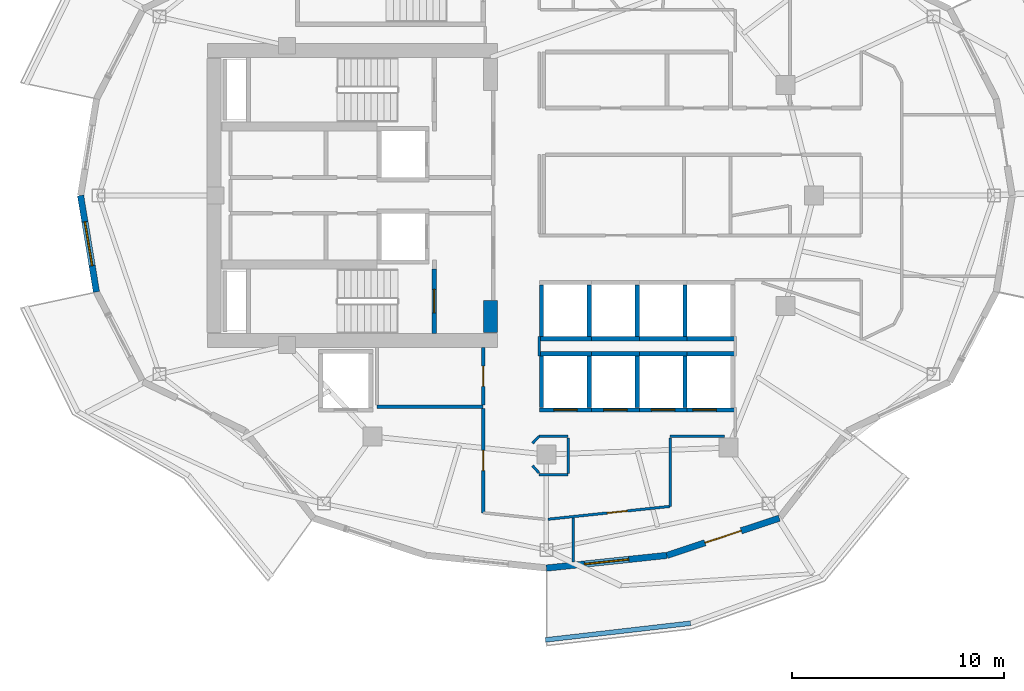
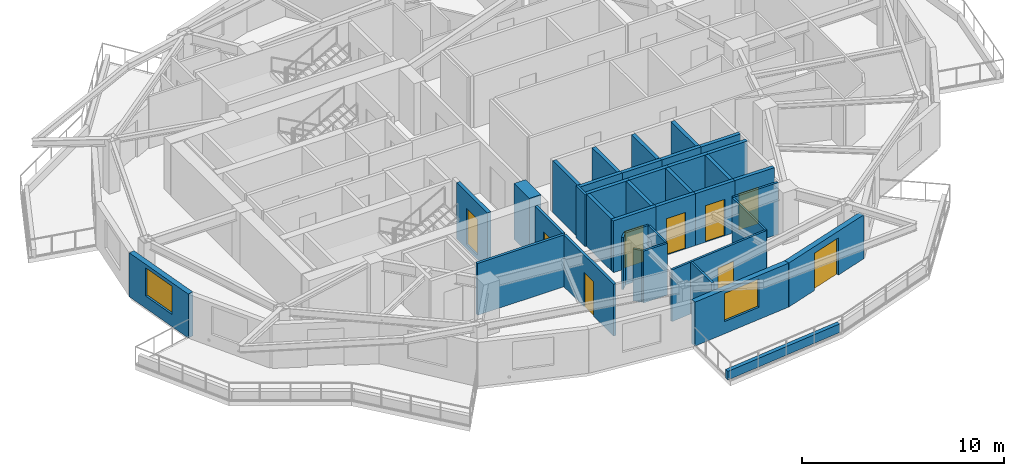
# One storey, part 3 of 12: 39 walls, 9 doors, 2 windows, 11 openings.
"""IFC4 building model written with IfcOpenShell, lengths in metres."""

from ifc_helpers import new_model, si_unit, direction, frame, frame_2d, origin, place, context, subcontext, project, spatial, rectangle, extrude, material, layer, layer_set, type_object, element, fill, save


model = new_model("IFC4")

# Units and contexts
model_context = context("Model", 3, precision=1e-05, world=origin(), true_north=direction((0.0, 1.0)))
body_context = subcontext(model_context, "Body", "Model", "MODEL_VIEW")
ifc_project = project(units=[si_unit("LENGTHUNIT", "METRE"), si_unit("AREAUNIT", "SQUARE_METRE"), si_unit("VOLUMEUNIT", "CUBIC_METRE"), si_unit("PLANEANGLEUNIT", "RADIAN"), si_unit("MASSUNIT", "GRAM", prefix="KILO")], contexts=[model_context])

# Site, building, storey
site_placement = place(None, origin())
site = spatial("IfcSite", under=ifc_project, at=site_placement, CompositionType="ELEMENT")
building_placement = place(site_placement, origin())
building = spatial("IfcBuilding", under=site, at=building_placement, Name="Kolvaren Gate Tower and Convention Centre", CompositionType="ELEMENT")
storey_placement = place(building_placement, frame((0.0, 0.0, 180.10009765625)))
storey = spatial("IfcBuildingStorey", under=building, at=storey_placement, Name="L47", CompositionType="ELEMENT", Elevation=180.10009765625)

# Walls
ifc_material_1 = material(Name="Fire-Rated Acoustic Gypsum Stud Partition", Category="gypsum")
ifc_layer_1 = layer(ifc_material_1, 0.1201171875)
ifc_layer_set_1 = layer_set([ifc_layer_1], Name="Fire-Rated Acoustic Gypsum Stud Partition")
wall_type_1 = type_object("IfcWallType", Name="ARCH-WL-PART-120", PredefinedType="PARTITIONING", material=ifc_layer_set_1)
wall_1_placement = place(storey_placement, frame((29.780029296875, 15.64990234375, 0.0), z_axis=(0.0, 0.0, 1.0), x_axis=(1.0, 0.0, 0.0)))
element("IfcWall", 1, at=wall_1_placement, inside=storey, type_object=wall_type_1, Name="Interior Partition WL-L47-INT-024", PredefinedType="PARTITIONING", context=body_context, shape_type="SweptSolid", body=[
    extrude(rectangle(XDim=1.369873046875, YDim=0.1201171875, at=frame_2d((0.68505859375, 0.0))), origin(), (0.0, 0.0, 1.0), 3.1298828125),
])
wall_2_placement = place(storey_placement, frame((35.949951171875, 15.64990234375, 0.0), z_axis=(0.0, 0.0, 1.0), x_axis=(1.0, 0.0, 0.0)))
element("IfcWall", 2, at=wall_2_placement, inside=storey, type_object=wall_type_1, Name="Interior Partition WL-L47-INT-025", PredefinedType="PARTITIONING", context=body_context, shape_type="SweptSolid", body=[
    extrude(rectangle(XDim=2.568115234375, YDim=0.1201171875, at=frame_2d((1.2841796875, 0.0))), origin(), (0.0, 0.0, 1.0), 3.1298828125),
])
wall_3_placement = place(storey_placement, frame((35.949951171875, 12.35595703125, 0.0), z_axis=(0.0, 0.0, 1.0), x_axis=(0.0, 1.0, 0.0)))
element("IfcWall", 3, at=wall_3_placement, inside=storey, type_object=wall_type_1, Name="Interior Partition WL-L47-INT-026", PredefinedType="PARTITIONING", context=body_context, shape_type="SweptSolid", body=[
    extrude(rectangle(XDim=3.23193359375, YDim=0.1201171875, at=frame_2d((1.615966796875, 0.0))), origin(), (0.0, 0.0, 1.0), 3.1298828125),
])

# Wall, opening, door
wall_4_placement = place(storey_placement, frame((30.195068359375, 11.75, 0.0), z_axis=(0.0, 0.0, 1.0), x_axis=(0.994502215954, 0.104715531139, 0.0)))
wall_4 = element("IfcWall", 4, at=wall_4_placement, inside=storey, type_object=wall_type_1, Name="Interior Partition WL-L47-INT-027", PredefinedType="PARTITIONING", context=body_context, shape_type="SweptSolid", body=[
    extrude(rectangle(XDim=5.78662109375, YDim=0.1201171875, at=frame_2d((2.893310546875, 0.0))), origin(), (0.0, 0.0, 1.0), 3.1298828125),
])
opening_1_placement = place(wall_4_placement, frame((2.818603515625, 0.0, 0.0)))
opening_1 = element("IfcOpeningElement", 5, at=opening_1_placement, cuts=wall_4, Name="Opening DR-01", PredefinedType="OPENING", context=body_context, shape_type="SweptSolid", body=[
    extrude(rectangle(XDim=0.949951171875, YDim=2.10009765625, at=frame_2d((0.47509765625, 1.050048828125))), frame((0.0, 0.070068359375, 0.0), z_axis=(0.0, -1.0, 0.0), x_axis=(1.0, 0.0, 0.0)), (0.0, 0.0, 1.0), 0.14013671875),
])
ifc_material_2 = material(Name="Painted Architectural Steelwork ASTM A500 Grade C 345 MPa", Category="steel")
door_type_1 = type_object("IfcDoorType", Name="ARCH-DR-RISER-950", OperationType="SINGLE_SWING_RIGHT", PredefinedType="DOOR", material=ifc_material_2)
door_1_placement = place(opening_1_placement, origin())
door_1 = element("IfcDoor", 6, at=door_1_placement, inside=storey, type_object=door_type_1, Name="Sky Gastronomy Restaurant Door", OperationType="SINGLE_SWING_RIGHT", OverallHeight=2.10009765625, OverallWidth=0.949951171875, PredefinedType="DOOR", context=body_context, shape_type="SweptSolid", body=[
    extrude(rectangle(XDim=0.949951171875, YDim=2.10009765625, at=frame_2d((0.47509765625, 1.050048828125))), frame((0.0, 0.02490234375, 0.0), z_axis=(0.0, -1.0, 0.0), x_axis=(1.0, 0.0, 0.0)), (0.0, 0.0, 1.0), 0.050048828125),
])
fill(opening_1, door_1)

# Walls
wall_5_placement = place(storey_placement, frame((29.780029296875, 19.43994140625, 0.0), z_axis=(0.0, 0.0, 1.0), x_axis=(0.0, 1.0, 0.0)))
element("IfcWall", 7, at=wall_5_placement, inside=storey, type_object=wall_type_1, Name="Interior Partition WL-L47-INT-031", PredefinedType="PARTITIONING", context=body_context, shape_type="SweptSolid", body=[
    extrude(rectangle(XDim=0.920166015625, YDim=0.1201171875, at=frame_2d((0.4599609375, 0.0))), origin(), (0.0, 0.0, 1.0), 3.1298828125),
])
wall_6_placement = place(storey_placement, frame((29.47607421875, 15.3330078125, 0.0), z_axis=(0.0, 0.0, 1.0), x_axis=(0.692219273951, 0.721687243043, 0.0)))
element("IfcWall", 8, at=wall_6_placement, inside=storey, type_object=wall_type_1, Name="Interior Partition WL-L47-INT-045", PredefinedType="PARTITIONING", context=body_context, shape_type="SweptSolid", body=[
    extrude(rectangle(XDim=0.439208984375, YDim=0.1201171875, at=frame_2d((0.2197265625, 0.0))), origin(), (0.0, 0.0, 1.0), 3.1298828125),
])
wall_7_placement = place(storey_placement, frame((29.47607421875, 14.26708984375, 0.0), z_axis=(0.0, 0.0, 1.0), x_axis=(0.670659392016, -0.741765448037, 0.0)))
element("IfcWall", 9, at=wall_7_placement, inside=storey, type_object=wall_type_1, Name="Interior Partition WL-L47-INT-046", PredefinedType="PARTITIONING", context=body_context, shape_type="SweptSolid", body=[
    extrude(rectangle(XDim=0.453125, YDim=0.1201171875, at=frame_2d((0.2265625, 0.0))), origin(), (0.0, 0.0, 1.0), 3.1298828125),
])
wall_8_placement = place(storey_placement, frame((29.780029296875, 13.85009765625, 0.0), z_axis=(0.0, 0.0, 1.0), x_axis=(1.0, 0.0, 0.0)))
element("IfcWall", 10, at=wall_8_placement, inside=storey, type_object=wall_type_1, Name="Interior Partition WL-L47-INT-047", PredefinedType="PARTITIONING", context=body_context, shape_type="SweptSolid", body=[
    extrude(rectangle(XDim=1.369873046875, YDim=0.1201171875, at=frame_2d((0.68505859375, 0.0))), origin(), (0.0, 0.0, 1.0), 3.1298828125),
])
wall_9_placement = place(storey_placement, frame((31.14990234375, 13.912109375, 0.0), z_axis=(0.0, 0.0, 1.0), x_axis=(0.0, 1.0, 0.0)))
element("IfcWall", 11, at=wall_9_placement, inside=storey, type_object=wall_type_1, Name="Interior Partition WL-L47-INT-048", PredefinedType="PARTITIONING", context=body_context, shape_type="SweptSolid", body=[
    extrude(rectangle(XDim=1.67578125, YDim=0.1201171875, at=frame_2d((0.837890625, 0.0))), origin(), (0.0, 0.0, 1.0), 3.1298828125),
])
wall_10_placement = place(storey_placement, frame((31.39990234375, 9.737060546875, 0.0), z_axis=(0.0, 0.0, 1.0), x_axis=(0.0, 1.0, 0.0)))
element("IfcWall", 12, at=wall_10_placement, inside=storey, type_object=wall_type_1, Name="Interior Partition WL-L47-INT-051", PredefinedType="PARTITIONING", context=body_context, shape_type="SweptSolid", body=[
    extrude(rectangle(XDim=2.077392578125, YDim=0.1201171875, at=frame_2d((1.03857421875, 0.0))), origin(), (0.0, 0.0, 1.0), 3.1298828125),
])
ifc_material_3 = material(Name="Piedmont Cream Honed Limestone Cladding", Category="masonry")
ifc_layer_2 = layer(ifc_material_3, 0.219970703125)
ifc_layer_set_2 = layer_set([ifc_layer_2], Name="Piedmont Cream Honed Limestone Cladding")
wall_type_2 = type_object("IfcWallType", Name="ARCH-WL-PLANTER-220", PredefinedType="PARAPET", material=ifc_layer_set_2)
wall_11_placement = place(storey_placement, frame((30.07958984375, 6.06640625, 0.0), z_axis=(0.0, 0.0, 1.0), x_axis=(0.993440576506, 0.114349555972, 0.0)))
element("IfcWall", 13, at=wall_11_placement, inside=storey, type_object=wall_type_2, Name="Vertical-Forest Balcony Stone Planter Kerb PK-L47-3.1", PredefinedType="PARAPET", context=body_context, shape_type="SweptSolid", body=[
    extrude(rectangle(XDim=6.885498046875, YDim=0.219970703125, at=frame_2d((3.44287109375, 0.0))), origin(), (0.0, 0.0, 1.0), 0.52001953125),
])
ifc_material_4 = material(Name="Autoclaved Aerated Masonry Blockwork Class 4 (4.0 MPa)", Category="masonry")
ifc_layer_3 = layer(ifc_material_4, 0.199951171875)
ifc_layer_set_3 = layer_set([ifc_layer_3], Name="Autoclaved Aerated Masonry Blockwork Class 4 (4.0 MPa)")
wall_type_3 = type_object("IfcWallType", Name="ARCH-WL-SHAFT-200", PredefinedType="SOLIDWALL", material=ifc_layer_set_3)
wall_12_placement = place(storey_placement, frame((29.800048828125, 19.550048828125, 0.0), z_axis=(0.0, 0.0, 1.0), x_axis=(1.0, 0.0, 0.0)))
element("IfcWall", 14, at=wall_12_placement, inside=storey, type_object=wall_type_3, Name="Elevator PL-05 L47 Fire Shaft Wall N", PredefinedType="SOLIDWALL", context=body_context, shape_type="SweptSolid", body=[
    extrude(rectangle(XDim=2.449951171875, YDim=0.199951171875, at=frame_2d((1.22509765625, 0.0))), origin(), (0.0, 0.0, 1.0), 3.1298828125),
])

# Wall, opening, door
wall_13_placement = place(storey_placement, frame((29.800048828125, 16.89990234375, 0.0), z_axis=(0.0, 0.0, 1.0), x_axis=(1.0, 0.0, 0.0)))
wall_13 = element("IfcWall", 15, at=wall_13_placement, inside=storey, type_object=wall_type_3, Name="Elevator PL-05 L47 Fire Shaft Wall S", PredefinedType="SOLIDWALL", context=body_context, shape_type="SweptSolid", body=[
    extrude(rectangle(XDim=2.449951171875, YDim=0.199951171875, at=frame_2d((1.22509765625, 0.0))), origin(), (0.0, 0.0, 1.0), 3.1298828125),
])
opening_2_placement = place(wall_13_placement, frame((0.675048828125, 0.0, 0.0)))
opening_2 = element("IfcOpeningElement", 16, at=opening_2_placement, cuts=wall_13, Name="Opening LD", PredefinedType="OPENING", context=body_context, shape_type="SweptSolid", body=[
    extrude(rectangle(XDim=1.10009765625, YDim=2.199951171875, at=frame_2d((0.550048828125, 1.10009765625))), frame((0.0, 0.10986328125, 0.0), z_axis=(0.0, -1.0, 0.0), x_axis=(1.0, 0.0, 0.0)), (0.0, 0.0, 1.0), 0.219970703125),
])
ifc_material_5 = material(Name="Brushed Stainless Steel Grade 316L", Category="steel")
door_type_2 = type_object("IfcDoorType", Name="ARCH-DR-LIFT-1100", OperationType="SLIDING_TO_LEFT", PredefinedType="DOOR", material=ifc_material_5)
door_2_placement = place(opening_2_placement, origin())
door_2 = element("IfcDoor", 17, at=door_2_placement, inside=storey, type_object=door_type_2, Name="Elevator PL-05 L47 Sliding Landing Door", OperationType="SLIDING_TO_LEFT", OverallHeight=2.199951171875, OverallWidth=1.10009765625, PredefinedType="DOOR", context=body_context, shape_type="SweptSolid", body=[
    extrude(rectangle(XDim=1.10009765625, YDim=2.199951171875, at=frame_2d((0.550048828125, 1.10009765625))), frame((0.0, 0.02490234375, 0.0), z_axis=(0.0, -1.0, 0.0), x_axis=(1.0, 0.0, 0.0)), (0.0, 0.0, 1.0), 0.050048828125),
])
fill(opening_2, door_2)

# Walls
for number, where, z_axis, x_axis, name in (
    (18, (29.89990234375, 17.010009765625, 0.0), (0.0, 0.0, 1.0), (0.0, 1.0, 0.0), "Elevator PL-05 L47 Fire Shaft Wall W"),
    (19, (32.14990234375, 17.010009765625, 0.0), (0.0, 0.0, 1.0), (0.0, 1.0, 0.0), "Elevator PL-05 L47 Fire Shaft Wall E"),
):
    element("IfcWall", number, at=place(storey_placement, frame(where, z_axis=z_axis, x_axis=x_axis)), inside=storey, type_object=wall_type_3, Name=name, PredefinedType="SOLIDWALL", context=body_context, shape_type="SweptSolid", body=[
        extrude(rectangle(XDim=2.429931640625, YDim=0.199951171875, at=frame_2d((1.21484375, 0.0))), origin(), (0.0, 0.0, 1.0), 3.1298828125),
    ])
wall_14_placement = place(storey_placement, frame((32.25, 19.550048828125, 0.0), z_axis=(0.0, 0.0, 1.0), x_axis=(1.0, 0.0, 0.0)))
element("IfcWall", 20, at=wall_14_placement, inside=storey, type_object=wall_type_3, Name="Elevator PL-06 L47 Fire Shaft Wall N", PredefinedType="SOLIDWALL", context=body_context, shape_type="SweptSolid", body=[
    extrude(rectangle(XDim=2.25, YDim=0.199951171875, at=frame_2d((1.125, 0.0))), origin(), (0.0, 0.0, 1.0), 3.1298828125),
])

# Wall, opening, door
wall_15_placement = place(storey_placement, frame((32.25, 16.89990234375, 0.0), z_axis=(0.0, 0.0, 1.0), x_axis=(1.0, 0.0, 0.0)))
wall_15 = element("IfcWall", 21, at=wall_15_placement, inside=storey, type_object=wall_type_3, Name="Elevator PL-06 L47 Fire Shaft Wall S", PredefinedType="SOLIDWALL", context=body_context, shape_type="SweptSolid", body=[
    extrude(rectangle(XDim=2.25, YDim=0.199951171875, at=frame_2d((1.125, 0.0))), origin(), (0.0, 0.0, 1.0), 3.1298828125),
])
opening_3_placement = place(wall_15_placement, frame((0.574951171875, 0.0, 0.0)))
opening_3 = element("IfcOpeningElement", 22, at=opening_3_placement, cuts=wall_15, Name="Opening LD", PredefinedType="OPENING", context=body_context, shape_type="SweptSolid", body=[
    extrude(rectangle(XDim=1.10009765625, YDim=2.199951171875, at=frame_2d((0.550048828125, 1.10009765625))), frame((0.0, 0.10986328125, 0.0), z_axis=(0.0, -1.0, 0.0), x_axis=(1.0, 0.0, 0.0)), (0.0, 0.0, 1.0), 0.219970703125),
])
door_3_placement = place(opening_3_placement, origin())
door_3 = element("IfcDoor", 23, at=door_3_placement, inside=storey, type_object=door_type_2, Name="Elevator PL-06 L47 Sliding Landing Door", OperationType="SLIDING_TO_LEFT", OverallHeight=2.199951171875, OverallWidth=1.10009765625, PredefinedType="DOOR", context=body_context, shape_type="SweptSolid", body=[
    extrude(rectangle(XDim=1.10009765625, YDim=2.199951171875, at=frame_2d((0.550048828125, 1.10009765625))), frame((0.0, 0.02490234375, 0.0), z_axis=(0.0, -1.0, 0.0), x_axis=(1.0, 0.0, 0.0)), (0.0, 0.0, 1.0), 0.050048828125),
])
fill(opening_3, door_3)

# Walls
wall_16_placement = place(storey_placement, frame((34.39990234375, 17.010009765625, 0.0), z_axis=(0.0, 0.0, 1.0), x_axis=(0.0, 1.0, 0.0)))
element("IfcWall", 24, at=wall_16_placement, inside=storey, type_object=wall_type_3, Name="Elevator PL-06 L47 Fire Shaft Wall E", PredefinedType="SOLIDWALL", context=body_context, shape_type="SweptSolid", body=[
    extrude(rectangle(XDim=2.429931640625, YDim=0.199951171875, at=frame_2d((1.21484375, 0.0))), origin(), (0.0, 0.0, 1.0), 3.1298828125),
])
wall_17_placement = place(storey_placement, frame((34.5, 19.550048828125, 0.0), z_axis=(0.0, 0.0, 1.0), x_axis=(1.0, 0.0, 0.0)))
element("IfcWall", 25, at=wall_17_placement, inside=storey, type_object=wall_type_3, Name="Elevator PL-07 L47 Fire Shaft Wall N", PredefinedType="SOLIDWALL", context=body_context, shape_type="SweptSolid", body=[
    extrude(rectangle(XDim=2.25, YDim=0.199951171875, at=frame_2d((1.125, 0.0))), origin(), (0.0, 0.0, 1.0), 3.1298828125),
])

# Wall, opening, door
wall_18_placement = place(storey_placement, frame((34.5, 16.89990234375, 0.0), z_axis=(0.0, 0.0, 1.0), x_axis=(1.0, 0.0, 0.0)))
wall_18 = element("IfcWall", 26, at=wall_18_placement, inside=storey, type_object=wall_type_3, Name="Elevator PL-07 L47 Fire Shaft Wall S", PredefinedType="SOLIDWALL", context=body_context, shape_type="SweptSolid", body=[
    extrude(rectangle(XDim=2.25, YDim=0.199951171875, at=frame_2d((1.125, 0.0))), origin(), (0.0, 0.0, 1.0), 3.1298828125),
])
opening_4_placement = place(wall_18_placement, frame((0.574951171875, 0.0, 0.0)))
opening_4 = element("IfcOpeningElement", 27, at=opening_4_placement, cuts=wall_18, Name="Opening LD", PredefinedType="OPENING", context=body_context, shape_type="SweptSolid", body=[
    extrude(rectangle(XDim=1.10009765625, YDim=2.199951171875, at=frame_2d((0.550048828125, 1.10009765625))), frame((0.0, 0.10986328125, 0.0), z_axis=(0.0, -1.0, 0.0), x_axis=(1.0, 0.0, 0.0)), (0.0, 0.0, 1.0), 0.219970703125),
])
door_4_placement = place(opening_4_placement, origin())
door_4 = element("IfcDoor", 28, at=door_4_placement, inside=storey, type_object=door_type_2, Name="Elevator PL-07 L47 Sliding Landing Door", OperationType="SLIDING_TO_LEFT", OverallHeight=2.199951171875, OverallWidth=1.10009765625, PredefinedType="DOOR", context=body_context, shape_type="SweptSolid", body=[
    extrude(rectangle(XDim=1.10009765625, YDim=2.199951171875, at=frame_2d((0.550048828125, 1.10009765625))), frame((0.0, 0.02490234375, 0.0), z_axis=(0.0, -1.0, 0.0), x_axis=(1.0, 0.0, 0.0)), (0.0, 0.0, 1.0), 0.050048828125),
])
fill(opening_4, door_4)

# Walls
wall_19_placement = place(storey_placement, frame((36.64990234375, 17.010009765625, 0.0), z_axis=(0.0, 0.0, 1.0), x_axis=(0.0, 1.0, 0.0)))
element("IfcWall", 29, at=wall_19_placement, inside=storey, type_object=wall_type_3, Name="Elevator PL-07 L47 Fire Shaft Wall E", PredefinedType="SOLIDWALL", context=body_context, shape_type="SweptSolid", body=[
    extrude(rectangle(XDim=2.429931640625, YDim=0.199951171875, at=frame_2d((1.21484375, 0.0))), origin(), (0.0, 0.0, 1.0), 3.1298828125),
])
wall_20_placement = place(storey_placement, frame((36.75, 19.550048828125, 0.0), z_axis=(0.0, 0.0, 1.0), x_axis=(1.0, 0.0, 0.0)))
element("IfcWall", 30, at=wall_20_placement, inside=storey, type_object=wall_type_3, Name="Elevator PL-08 L47 Fire Shaft Wall N", PredefinedType="SOLIDWALL", context=body_context, shape_type="SweptSolid", body=[
    extrude(rectangle(XDim=2.25, YDim=0.199951171875, at=frame_2d((1.125, 0.0))), origin(), (0.0, 0.0, 1.0), 3.1298828125),
])

# Wall, opening, door
wall_21_placement = place(storey_placement, frame((36.75, 16.89990234375, 0.0), z_axis=(0.0, 0.0, 1.0), x_axis=(1.0, 0.0, 0.0)))
wall_21 = element("IfcWall", 31, at=wall_21_placement, inside=storey, type_object=wall_type_3, Name="Elevator PL-08 L47 Fire Shaft Wall S", PredefinedType="SOLIDWALL", context=body_context, shape_type="SweptSolid", body=[
    extrude(rectangle(XDim=2.25, YDim=0.199951171875, at=frame_2d((1.125, 0.0))), origin(), (0.0, 0.0, 1.0), 3.1298828125),
])
opening_5_placement = place(wall_21_placement, frame((0.280029296875, 0.0, 0.0)))
opening_5 = element("IfcOpeningElement", 32, at=opening_5_placement, cuts=wall_21, Name="Opening LD", PredefinedType="OPENING", context=body_context, shape_type="SweptSolid", body=[
    extrude(rectangle(XDim=1.10009765625, YDim=2.199951171875, at=frame_2d((0.550048828125, 1.10009765625))), frame((0.0, 0.10986328125, 0.0), z_axis=(0.0, -1.0, 0.0), x_axis=(1.0, 0.0, 0.0)), (0.0, 0.0, 1.0), 0.219970703125),
])
door_5_placement = place(opening_5_placement, origin())
door_5 = element("IfcDoor", 33, at=door_5_placement, inside=storey, type_object=door_type_2, Name="Elevator PL-08 L47 Sliding Landing Door", OperationType="SLIDING_TO_LEFT", OverallHeight=2.199951171875, OverallWidth=1.10009765625, PredefinedType="DOOR", context=body_context, shape_type="SweptSolid", body=[
    extrude(rectangle(XDim=1.10009765625, YDim=2.199951171875, at=frame_2d((0.550048828125, 1.10009765625))), frame((0.0, 0.02490234375, 0.0), z_axis=(0.0, -1.0, 0.0), x_axis=(1.0, 0.0, 0.0)), (0.0, 0.0, 1.0), 0.050048828125),
])
fill(opening_5, door_5)

# Walls
wall_22_placement = place(storey_placement, frame((29.800048828125, 20.25, 0.0), z_axis=(0.0, 0.0, 1.0), x_axis=(1.0, 0.0, 0.0)))
element("IfcWall", 34, at=wall_22_placement, inside=storey, type_object=wall_type_3, Name="Elevator PL-09 L47 Fire Shaft Wall S", PredefinedType="SOLIDWALL", context=body_context, shape_type="SweptSolid", body=[
    extrude(rectangle(XDim=2.449951171875, YDim=0.199951171875, at=frame_2d((1.22509765625, 0.0))), origin(), (0.0, 0.0, 1.0), 3.1298828125),
])
for number, where, z_axis, x_axis, name in (
    (35, (29.89990234375, 20.360107421875, 0.0), (0.0, 0.0, 1.0), (0.0, 1.0, 0.0), "Elevator PL-09 L47 Fire Shaft Wall W"),
    (36, (32.14990234375, 20.360107421875, 0.0), (0.0, 0.0, 1.0), (0.0, 1.0, 0.0), "Elevator PL-09 L47 Fire Shaft Wall E"),
):
    element("IfcWall", number, at=place(storey_placement, frame(where, z_axis=z_axis, x_axis=x_axis)), inside=storey, type_object=wall_type_3, Name=name, PredefinedType="SOLIDWALL", context=body_context, shape_type="SweptSolid", body=[
        extrude(rectangle(XDim=2.429931640625, YDim=0.199951171875, at=frame_2d((1.21484375, 0.0))), origin(), (0.0, 0.0, 1.0), 3.1298828125),
    ])
wall_23_placement = place(storey_placement, frame((32.25, 20.25, 0.0), z_axis=(0.0, 0.0, 1.0), x_axis=(1.0, 0.0, 0.0)))
element("IfcWall", 37, at=wall_23_placement, inside=storey, type_object=wall_type_3, Name="Elevator PL-10 L47 Fire Shaft Wall S", PredefinedType="SOLIDWALL", context=body_context, shape_type="SweptSolid", body=[
    extrude(rectangle(XDim=2.25, YDim=0.199951171875, at=frame_2d((1.125, 0.0))), origin(), (0.0, 0.0, 1.0), 3.1298828125),
])
wall_24_placement = place(storey_placement, frame((34.39990234375, 20.360107421875, 0.0), z_axis=(0.0, 0.0, 1.0), x_axis=(0.0, 1.0, 0.0)))
element("IfcWall", 38, at=wall_24_placement, inside=storey, type_object=wall_type_3, Name="Elevator PL-10 L47 Fire Shaft Wall E", PredefinedType="SOLIDWALL", context=body_context, shape_type="SweptSolid", body=[
    extrude(rectangle(XDim=2.429931640625, YDim=0.199951171875, at=frame_2d((1.21484375, 0.0))), origin(), (0.0, 0.0, 1.0), 3.1298828125),
])
wall_25_placement = place(storey_placement, frame((34.5, 20.25, 0.0), z_axis=(0.0, 0.0, 1.0), x_axis=(1.0, 0.0, 0.0)))
element("IfcWall", 39, at=wall_25_placement, inside=storey, type_object=wall_type_3, Name="Elevator PL-11 L47 Fire Shaft Wall S", PredefinedType="SOLIDWALL", context=body_context, shape_type="SweptSolid", body=[
    extrude(rectangle(XDim=2.25, YDim=0.199951171875, at=frame_2d((1.125, 0.0))), origin(), (0.0, 0.0, 1.0), 3.1298828125),
])
wall_26_placement = place(storey_placement, frame((36.64990234375, 20.360107421875, 0.0), z_axis=(0.0, 0.0, 1.0), x_axis=(0.0, 1.0, 0.0)))
element("IfcWall", 40, at=wall_26_placement, inside=storey, type_object=wall_type_3, Name="Elevator PL-11 L47 Fire Shaft Wall E", PredefinedType="SOLIDWALL", context=body_context, shape_type="SweptSolid", body=[
    extrude(rectangle(XDim=2.429931640625, YDim=0.199951171875, at=frame_2d((1.21484375, 0.0))), origin(), (0.0, 0.0, 1.0), 3.1298828125),
])
wall_27_placement = place(storey_placement, frame((36.75, 20.25, 0.0), z_axis=(0.0, 0.0, 1.0), x_axis=(1.0, 0.0, 0.0)))
element("IfcWall", 41, at=wall_27_placement, inside=storey, type_object=wall_type_3, Name="Elevator PL-12 L47 Fire Shaft Wall S", PredefinedType="SOLIDWALL", context=body_context, shape_type="SweptSolid", body=[
    extrude(rectangle(XDim=2.25, YDim=0.199951171875, at=frame_2d((1.125, 0.0))), origin(), (0.0, 0.0, 1.0), 3.1298828125),
])

# Wall, opening, window
ifc_layer_4 = layer(ifc_material_3, 0.300048828125)
ifc_layer_set_4 = layer_set([ifc_layer_4], Name="Piedmont Cream Honed Limestone Cladding")
wall_type_4 = type_object("IfcWallType", Name="ARCH-WL-STONE-300", PredefinedType="SOLIDWALL", material=ifc_layer_set_4)
wall_28_placement = place(storey_placement, frame((8.1875, 27.0, 0.0), z_axis=(0.0, 0.0, 1.0), x_axis=(0.162394765401, -0.986725868806, 0.0)))
wall_28 = element("IfcWall", 42, at=wall_28_placement, inside=storey, type_object=wall_type_4, Name="Tower L47 Honed Stone Spandrel Wall EW-12", PredefinedType="SOLIDWALL", context=body_context, shape_type="SweptSolid", body=[
    extrude(rectangle(XDim=4.603271484375, YDim=0.300048828125, at=frame_2d((2.3017578125, 0.0))), origin(), (0.0, 0.0, 1.0), 2.65283203125),
])
opening_6_placement = place(wall_28_placement, frame((1.251953125, 0.0, 0.739990234375)))
opening_6 = element("IfcOpeningElement", 43, at=opening_6_placement, cuts=wall_28, Name="Opening W-02", PredefinedType="OPENING", context=body_context, shape_type="SweptSolid", body=[
    extrude(rectangle(XDim=2.10009765625, YDim=1.699951171875, at=frame_2d((1.050048828125, 0.85009765625))), frame((0.0, 0.159912109375, 0.0), z_axis=(0.0, -1.0, 0.0), x_axis=(1.0, 0.0, 0.0)), (0.0, 0.0, 1.0), 0.320068359375),
])
ifc_material_6 = material(Name="Low-E Triple Insulated Glazing Unit 44 mm", Category="glass")
window_type = type_object("IfcWindowType", Name="ARCH-WN-HTL-2100", PartitioningType="SINGLE_PANEL", PredefinedType="WINDOW", material=ifc_material_6)
window_1_placement = place(opening_6_placement, origin())
window_1 = element("IfcWindow", 44, at=window_1_placement, inside=storey, type_object=window_type, Name="Tower L47 Punched Stone Facade Window W-12", OverallHeight=1.699951171875, OverallWidth=2.10009765625, PartitioningType="SINGLE_PANEL", PredefinedType="WINDOW", context=body_context, shape_type="SweptSolid", body=[
    extrude(rectangle(XDim=2.10009765625, YDim=1.699951171875, at=frame_2d((1.050048828125, 0.85009765625))), frame((0.0, 0.030029296875, 0.0), z_axis=(0.0, -1.0, 0.0), x_axis=(1.0, 0.0, 0.0)), (0.0, 0.0, 1.0), 0.06005859375),
])
fill(opening_6, window_1)

wall_29_placement = place(storey_placement, frame((30.125, 9.449951171875, 0.0), z_axis=(0.0, 0.0, 1.0), x_axis=(0.994496545245, 0.104769372887, 0.0)))
wall_29 = element("IfcWall", 45, at=wall_29_placement, inside=storey, type_object=wall_type_4, Name="Tower L47 Honed Stone Spandrel Wall EW-18", PredefinedType="SOLIDWALL", context=body_context, shape_type="SweptSolid", body=[
    extrude(rectangle(XDim=5.709228515625, YDim=0.300048828125, at=frame_2d((2.8544921875, 0.0))), origin(), (0.0, 0.0, 1.0), 2.65283203125),
])
opening_7_placement = place(wall_29_placement, frame((1.804931640625, 0.0, 0.739990234375)))
opening_7 = element("IfcOpeningElement", 46, at=opening_7_placement, cuts=wall_29, Name="Opening W-02", PredefinedType="OPENING", context=body_context, shape_type="SweptSolid", body=[
    extrude(rectangle(XDim=2.10009765625, YDim=1.699951171875, at=frame_2d((1.050048828125, 0.85009765625))), frame((0.0, 0.159912109375, 0.0), z_axis=(0.0, -1.0, 0.0), x_axis=(1.0, 0.0, 0.0)), (0.0, 0.0, 1.0), 0.320068359375),
])
window_2_placement = place(opening_7_placement, origin())
window_2 = element("IfcWindow", 47, at=window_2_placement, inside=storey, type_object=window_type, Name="Tower L47 Punched Stone Facade Window W-18", OverallHeight=1.699951171875, OverallWidth=2.10009765625, PartitioningType="SINGLE_PANEL", PredefinedType="WINDOW", context=body_context, shape_type="SweptSolid", body=[
    extrude(rectangle(XDim=2.10009765625, YDim=1.699951171875, at=frame_2d((1.050048828125, 0.85009765625))), frame((0.0, 0.030029296875, 0.0), z_axis=(0.0, -1.0, 0.0), x_axis=(1.0, 0.0, 0.0)), (0.0, 0.0, 1.0), 0.06005859375),
])
fill(opening_7, window_2)

# Wall, opening, door
wall_30_placement = place(storey_placement, frame((35.802734375, 10.048095703125, 0.0), z_axis=(0.0, 0.0, 1.0), x_axis=(0.949246811547, 0.314532177636, 0.0)))
wall_30 = element("IfcWall", 48, at=wall_30_placement, inside=storey, type_object=wall_type_4, Name="Tower L47 Honed Stone Spandrel Wall EW-19", PredefinedType="SOLIDWALL", context=body_context, shape_type="SweptSolid", body=[
    extrude(rectangle(XDim=5.573974609375, YDim=0.300048828125, at=frame_2d((2.787109375, 0.0))), origin(), (0.0, 0.0, 1.0), 2.65283203125),
])
opening_8_placement = place(wall_30_placement, frame((1.886962890625, 0.0, 0.0)))
opening_8 = element("IfcOpeningElement", 49, at=opening_8_placement, cuts=wall_30, Name="Opening DB-01", PredefinedType="OPENING", context=body_context, shape_type="SweptSolid", body=[
    extrude(rectangle(XDim=1.800048828125, YDim=2.25, at=frame_2d((0.89990234375, 1.125))), frame((0.0, 0.159912109375, 0.0), z_axis=(0.0, -1.0, 0.0), x_axis=(1.0, 0.0, 0.0)), (0.0, 0.0, 1.0), 0.320068359375),
])
ifc_material_7 = material(Name="Anodized Architectural Aluminium Alloy 6063-T6", Category="aluminium")
door_type_3 = type_object("IfcDoorType", Name="ARCH-DR-BALC-1800", OperationType="SLIDING_TO_LEFT", PredefinedType="DOOR", material=ifc_material_7)
door_6_placement = place(opening_8_placement, frame((1.800048828125, 0.0, 0.0), z_axis=(0.0, 0.0, 1.0), x_axis=(-1.0, 0.0, 0.0)))
door_6 = element("IfcDoor", 50, at=door_6_placement, inside=storey, type_object=door_type_3, Name="Planted Sky Terrace Access Door DB-L47-19", OperationType="SLIDING_TO_LEFT", OverallHeight=2.25, OverallWidth=1.800048828125, PredefinedType="DOOR", context=body_context, shape_type="SweptSolid", body=[
    extrude(rectangle(XDim=1.800048828125, YDim=2.25, at=frame_2d((0.89990234375, 1.125))), frame((0.0, 0.02490234375, 0.0), z_axis=(0.0, -1.0, 0.0), x_axis=(1.0, 0.0, 0.0)), (0.0, 0.0, 1.0), 0.050048828125),
])
fill(opening_8, door_6)

# Wall
ifc_material_8 = material(Name="Moisture-Resistant Cement-Board Acoustic Partition", Category="gypsum")
ifc_layer_5 = layer(ifc_material_8, 0.14990234375)
ifc_layer_set_5 = layer_set([ifc_layer_5], Name="Moisture-Resistant Cement-Board Acoustic Partition")
wall_type_5 = type_object("IfcWallType", Name="ARCH-WL-WET-150", PredefinedType="PARTITIONING", material=ifc_layer_set_5)
wall_31_placement = place(storey_placement, frame((22.14990234375, 17.050048828125, 0.0), z_axis=(0.0, 0.0, 1.0), x_axis=(1.0, 0.0, 0.0)))
element("IfcWall", 51, at=wall_31_placement, inside=storey, type_object=wall_type_5, Name="Interior Partition WL-L47-INT-009", PredefinedType="PARTITIONING", context=body_context, shape_type="SweptSolid", body=[
    extrude(rectangle(XDim=5.0, YDim=0.14990234375, at=frame_2d((2.5, 0.0))), origin(), (0.0, 0.0, 1.0), 3.1298828125),
])

# Wall, opening, door
wall_32_placement = place(storey_placement, frame((27.14990234375, 12.055908203125, 0.0), z_axis=(0.0, 0.0, 1.0), x_axis=(0.0, 1.0, 0.0)))
wall_32 = element("IfcWall", 52, at=wall_32_placement, inside=storey, type_object=wall_type_5, Name="Interior Partition WL-L47-INT-011", PredefinedType="PARTITIONING", context=body_context, shape_type="SweptSolid", body=[
    extrude(rectangle(XDim=4.9169921875, YDim=0.14990234375, at=frame_2d((2.45849609375, 0.0))), origin(), (0.0, 0.0, 1.0), 3.1298828125),
])
opening_9_placement = place(wall_32_placement, frame((1.9833984375, 0.0, 0.0)))
opening_9 = element("IfcOpeningElement", 53, at=opening_9_placement, cuts=wall_32, Name="Opening DR-01", PredefinedType="OPENING", context=body_context, shape_type="SweptSolid", body=[
    extrude(rectangle(XDim=0.949951171875, YDim=2.10009765625, at=frame_2d((0.47509765625, 1.050048828125))), frame((0.0, 0.0849609375, 0.0), z_axis=(0.0, -1.0, 0.0), x_axis=(1.0, 0.0, 0.0)), (0.0, 0.0, 1.0), 0.169921875),
])
door_7_placement = place(opening_9_placement, origin())
door_7 = element("IfcDoor", 54, at=door_7_placement, inside=storey, type_object=door_type_1, Name="Sky Gastronomy Restaurant Door", OperationType="SINGLE_SWING_LEFT", OverallHeight=2.10009765625, OverallWidth=0.949951171875, PredefinedType="DOOR", context=body_context, shape_type="SweptSolid", body=[
    extrude(rectangle(XDim=0.949951171875, YDim=2.10009765625, at=frame_2d((0.47509765625, 1.050048828125))), frame((0.0, 0.02490234375, 0.0), z_axis=(0.0, -1.0, 0.0), x_axis=(1.0, 0.0, 0.0)), (0.0, 0.0, 1.0), 0.050048828125),
])
fill(opening_9, door_7)

wall_33_placement = place(storey_placement, frame((27.14990234375, 17.126953125, 0.0), z_axis=(0.0, 0.0, 1.0), x_axis=(0.0, 1.0, 0.0)))
wall_33 = element("IfcWall", 55, at=wall_33_placement, inside=storey, type_object=wall_type_5, Name="Interior Partition WL-L47-INT-011 (2)", PredefinedType="PARTITIONING", context=body_context, shape_type="SweptSolid", body=[
    extrude(rectangle(XDim=2.720947265625, YDim=0.14990234375, at=frame_2d((1.3603515625, 0.0))), origin(), (0.0, 0.0, 1.0), 3.1298828125),
])
opening_10_placement = place(wall_33_placement, frame((0.885498046875, 0.0, 0.0)))
opening_10 = element("IfcOpeningElement", 56, at=opening_10_placement, cuts=wall_33, Name="Opening DR-01", PredefinedType="OPENING", context=body_context, shape_type="SweptSolid", body=[
    extrude(rectangle(XDim=0.949951171875, YDim=2.10009765625, at=frame_2d((0.47509765625, 1.050048828125))), frame((0.0, 0.0849609375, 0.0), z_axis=(0.0, -1.0, 0.0), x_axis=(1.0, 0.0, 0.0)), (0.0, 0.0, 1.0), 0.169921875),
])
door_8_placement = place(opening_10_placement, origin())
door_8 = element("IfcDoor", 57, at=door_8_placement, inside=storey, type_object=door_type_1, Name="West Linen and Supply Store Door", OperationType="SINGLE_SWING_RIGHT", OverallHeight=2.10009765625, OverallWidth=0.949951171875, PredefinedType="DOOR", context=body_context, shape_type="SweptSolid", body=[
    extrude(rectangle(XDim=0.949951171875, YDim=2.10009765625, at=frame_2d((0.47509765625, 1.050048828125))), frame((0.0, 0.02490234375, 0.0), z_axis=(0.0, -1.0, 0.0), x_axis=(1.0, 0.0, 0.0)), (0.0, 0.0, 1.0), 0.050048828125),
])
fill(opening_10, door_8)

# Wall
ifc_material_9 = material(Name="Concrete C60/75", Category="concrete")
ifc_layer_6 = layer(ifc_material_9, 0.64990234375)
ifc_layer_set_6 = layer_set([ifc_layer_6], Name="Concrete C60/75")
wall_type_6 = type_object("IfcWallType", Name="STR-WL-CORE-650", PredefinedType="SHEAR", material=ifc_layer_set_6)
wall_34_placement = place(storey_placement, frame((27.5, 20.550048828125, -0.27001953125), z_axis=(0.0, 0.0, 1.0), x_axis=(0.0, 1.0, 0.0)))
element("IfcWall", 58, at=wall_34_placement, inside=storey, type_object=wall_type_6, Name="Tower L47 Offset Core Shear Wall ES", PredefinedType="SHEAR", context=body_context, shape_type="SweptSolid", body=[
    extrude(rectangle(XDim=1.5, YDim=0.64990234375, at=frame_2d((0.75, 0.0))), origin(), (0.0, 0.0, 1.0), 3.39990234375),
])

# Wall, opening, door
ifc_material_10 = material(Name="Concrete C50/60", Category="concrete")
ifc_layer_7 = layer(ifc_material_10, 0.199951171875)
ifc_layer_set_7 = layer_set([ifc_layer_7], Name="Concrete C50/60")
wall_type_7 = type_object("IfcWallType", Name="STR-WL-SHAFT-200", PredefinedType="SHEAR", material=ifc_layer_set_7)
wall_35_placement = place(storey_placement, frame((24.85009765625, 20.501953125, -0.27001953125), z_axis=(0.0, 0.0, 1.0), x_axis=(0.0, 1.0, 0.0)))
wall_35 = element("IfcWall", 59, at=wall_35_placement, inside=storey, type_object=wall_type_7, Name="Tower South Exit Stair ST-T2 L47 Structural Shear Enclosure Wall NEAR", PredefinedType="SHEAR", context=body_context, shape_type="SweptSolid", body=[
    extrude(rectangle(XDim=3.0380859375, YDim=0.199951171875, at=frame_2d((1.51904296875, 0.0))), origin(), (0.0, 0.0, 1.0), 3.39990234375),
])
opening_11_placement = place(wall_35_placement, frame((0.968994140625, 0.0, 0.27001953125)))
opening_11 = element("IfcOpeningElement", 60, at=opening_11_placement, cuts=wall_35, Name="Opening DS-01", PredefinedType="OPENING", context=body_context, shape_type="SweptSolid", body=[
    extrude(rectangle(XDim=1.10009765625, YDim=2.14990234375, at=frame_2d((0.550048828125, 1.074951171875))), frame((0.0, 0.10986328125, 0.0), z_axis=(0.0, -1.0, 0.0), x_axis=(1.0, 0.0, 0.0)), (0.0, 0.0, 1.0), 0.219970703125),
])
door_type_4 = type_object("IfcDoorType", Name="ARCH-DR-STAIR-1100", OperationType="SINGLE_SWING_LEFT", PredefinedType="DOOR", material=ifc_material_2)
door_9_placement = place(opening_11_placement, origin())
door_9 = element("IfcDoor", 61, at=door_9_placement, inside=storey, type_object=door_type_4, Name="Tower South Exit Stair ST-T2 L47 Fire Exit Stair Door", OperationType="SINGLE_SWING_LEFT", OverallHeight=2.14990234375, OverallWidth=1.10009765625, PredefinedType="DOOR", context=body_context, shape_type="SweptSolid", body=[
    extrude(rectangle(XDim=1.10009765625, YDim=2.14990234375, at=frame_2d((0.550048828125, 1.074951171875))), frame((0.0, 0.02490234375, 0.0), z_axis=(0.0, -1.0, 0.0), x_axis=(1.0, 0.0, 0.0)), (0.0, 0.0, 1.0), 0.050048828125),
])
fill(opening_11, door_9)

save(model, "model.ifc")
